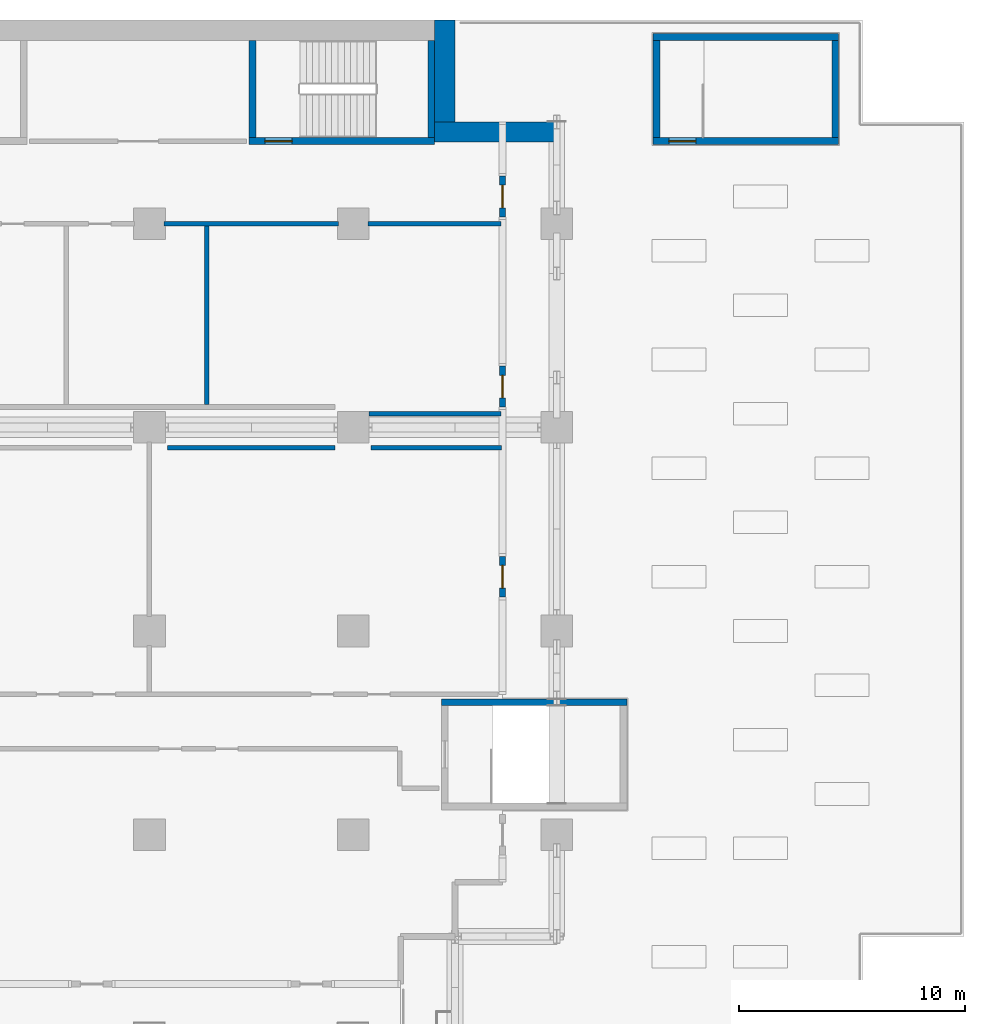
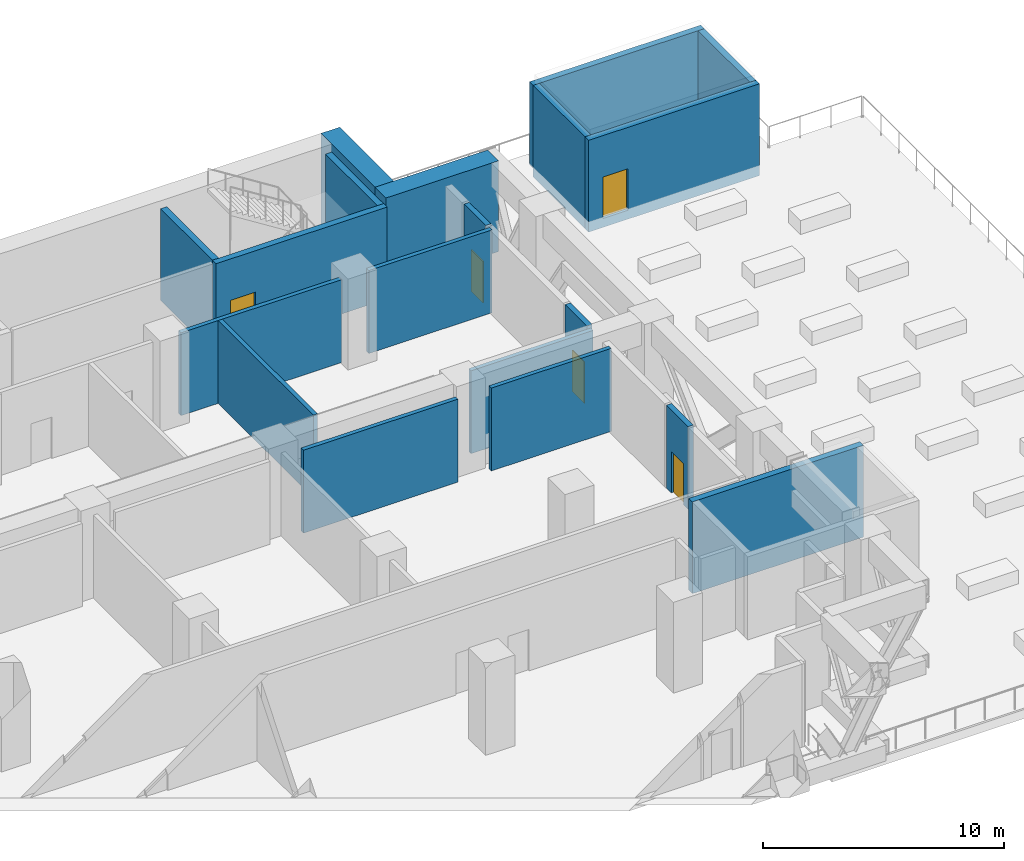
# One storey, part 14 of 24: 19 walls, 5 doors, 5 openings.
"""IFC4 building model written with IfcOpenShell, lengths in metres."""

from ifc_helpers import new_model, si_unit, direction, frame, frame_2d, origin, place, context, subcontext, project, spatial, rectangle, extrude, material, layer, layer_set, type_object, element, fill, save


model = new_model("IFC4")

# Units and contexts
model_context = context("Model", 3, precision=1e-05, world=origin(), true_north=direction((0.0, 1.0)))
body_context = subcontext(model_context, "Body", "Model", "MODEL_VIEW")
ifc_project = project(units=[si_unit("LENGTHUNIT", "METRE"), si_unit("AREAUNIT", "SQUARE_METRE"), si_unit("VOLUMEUNIT", "CUBIC_METRE"), si_unit("PLANEANGLEUNIT", "RADIAN"), si_unit("MASSUNIT", "GRAM", prefix="KILO")], contexts=[model_context])

# Site, building, storey
site_placement = place(None, origin())
site = spatial("IfcSite", under=ifc_project, at=site_placement, CompositionType="ELEMENT")
building_placement = place(site_placement, origin())
building = spatial("IfcBuilding", under=site, at=building_placement, Name="Hunhe Ridgeline Campus", CompositionType="ELEMENT")
storey_placement = place(building_placement, frame((0.0, 0.0, 80.199951171875)))
storey = spatial("IfcBuildingStorey", under=building, at=storey_placement, Name="L19", CompositionType="ELEMENT", Elevation=80.199951171875)

# Walls
ifc_material_1 = material(Name="Gypsum board partition")
ifc_layer_1 = layer(ifc_material_1, 0.199951171875)
ifc_layer_set_1 = layer_set([ifc_layer_1], Name="Corridor partition 200 gypsum board on steel studs")
wall_type_1 = type_object("IfcWallType", Name="Corridor partition 200 gypsum board on steel studs", PredefinedType="PARTITIONING", material=ifc_layer_set_1)
wall_1_placement = place(storey_placement, frame((63.800048828125, 80.10009765625, 0.0), z_axis=(0.0, 0.0, 1.0), x_axis=(1.0, 0.0, 0.0)))
element("IfcWall", 1, at=wall_1_placement, inside=storey, type_object=wall_type_1, Name="F-L19-wall-033", PredefinedType="PARTITIONING", context=body_context, shape_type="SweptSolid", body=[
    extrude(rectangle(XDim=7.39990234375, YDim=0.199951171875, at=frame_2d((3.699951171875, 0.0))), origin(), (0.0, 0.0, 1.0), 4.199951171875),
])
wall_2_placement = place(storey_placement, frame((72.800048828125, 80.10009765625, 0.0), z_axis=(0.0, 0.0, 1.0), x_axis=(1.0, 0.0, 0.0)))
element("IfcWall", 2, at=wall_2_placement, inside=storey, type_object=wall_type_1, Name="F-L19-wall-034", PredefinedType="PARTITIONING", context=body_context, shape_type="SweptSolid", body=[
    extrude(rectangle(XDim=5.744873046875, YDim=0.199951171875, at=frame_2d((2.87255859375, 0.0))), origin(), (0.0, 0.0, 1.0), 4.199951171875),
])
wall_3_placement = place(storey_placement, frame((72.699951171875, 81.60009765625, 0.0), z_axis=(0.0, 0.0, 1.0), x_axis=(1.0, 0.0, 0.0)))
element("IfcWall", 3, at=wall_3_placement, inside=storey, type_object=wall_type_1, Name="F-L19-wall-035", PredefinedType="PARTITIONING", context=body_context, shape_type="SweptSolid", body=[
    extrude(rectangle(XDim=5.844970703125, YDim=0.199951171875, at=frame_2d((2.92236328125, 0.0))), origin(), (0.0, 0.0, 1.0), 4.199951171875),
])
wall_4_placement = place(storey_placement, frame((78.544921875, 90.0, 0.0), z_axis=(0.0, 0.0, 1.0), x_axis=(-1.0, 0.0, 0.0)))
element("IfcWall", 4, at=wall_4_placement, inside=storey, type_object=wall_type_1, Name="F-L19-wall-037", PredefinedType="PARTITIONING", context=body_context, shape_type="SweptSolid", body=[
    extrude(rectangle(XDim=5.89501953125, YDim=0.199951171875, at=frame_2d((2.947509765625, 0.0))), origin(), (0.0, 0.0, 1.0), 4.199951171875),
])
wall_5_placement = place(storey_placement, frame((71.35009765625, 90.0, 0.0), z_axis=(0.0, 0.0, 1.0), x_axis=(-1.0, 0.0, 0.0)))
element("IfcWall", 5, at=wall_5_placement, inside=storey, type_object=wall_type_1, Name="F-L19-wall-041", PredefinedType="PARTITIONING", context=body_context, shape_type="SweptSolid", body=[
    extrude(rectangle(XDim=7.7001953125, YDim=0.199951171875, at=frame_2d((3.85009765625, 0.0))), origin(), (0.0, 0.0, 1.0), 4.199951171875),
])
wall_6_placement = place(storey_placement, frame((65.52392578125, 89.89990234375, 0.0), z_axis=(0.0, 0.0, 1.0), x_axis=(0.0, -1.0, 0.0)))
element("IfcWall", 6, at=wall_6_placement, inside=storey, type_object=wall_type_1, Name="F-L19-wall-071", PredefinedType="PARTITIONING", context=body_context, shape_type="SweptSolid", body=[
    extrude(rectangle(XDim=7.89990234375, YDim=0.199951171875, at=frame_2d((3.949951171875, 0.0))), origin(), (0.0, 0.0, 1.0), 4.199951171875),
])

# Wall, opening, door
ifc_material_2 = material(Name="Concrete C30", Category="concrete")
ifc_layer_2 = layer(ifc_material_2, 0.25)
ifc_layer_set_2 = layer_set([ifc_layer_2], Name="Loggia door pier wall 250 Concrete C30")
wall_type_2 = type_object("IfcWallType", Name="Loggia door pier wall 250 Concrete C30", PredefinedType="SOLIDWALL", material=ifc_layer_set_2)
wall_7_placement = place(storey_placement, frame((78.59912109375, 73.500732421875, 0.0), z_axis=(0.0, 0.0, 1.0), x_axis=(0.0, 1.0, 0.0)))
wall_7 = element("IfcWall", 7, at=wall_7_placement, inside=storey, type_object=wall_type_2, Name="Loggia door pier 16", PredefinedType="SOLIDWALL", context=body_context, shape_type="SweptSolid", body=[
    extrude(rectangle(XDim=1.7998046875, YDim=0.25, at=frame_2d((0.89990234375, 0.0))), origin(), (0.0, 0.0, 1.0), 4.199951171875),
])
opening_1_placement = place(wall_7_placement, frame((0.39990234375, 0.0, 0.0)))
opening_1 = element("IfcOpeningElement", 8, at=opening_1_placement, cuts=wall_7, Name="Opening BR216", PredefinedType="OPENING", context=body_context, shape_type="SweptSolid", body=[
    extrude(rectangle(XDim=1.0, YDim=2.10009765625, at=frame_2d((0.5, 1.050048828125))), frame((0.0, 0.125, 0.0), z_axis=(0.0, -1.0, 0.0), x_axis=(1.0, 0.0, 0.0)), (0.0, 0.0, 1.0), 0.25),
])
ifc_material_3 = material(Name="Aluminium 6063", Category="aluminium")
door_type_1 = type_object("IfcDoorType", Name="Loggia glazed door 1000x2100", OperationType="NOTDEFINED", PredefinedType="DOOR", material=ifc_material_3)
door_1_placement = place(opening_1_placement, frame((1.0, 0.0, 0.0), z_axis=(0.0, 0.0, 1.0), x_axis=(-1.0, 0.0, 0.0)))
door_1 = element("IfcDoor", 9, at=door_1_placement, inside=storey, type_object=door_type_1, Name="Loggia door BR216", OperationType="SINGLE_SWING_LEFT", OverallHeight=2.10009765625, OverallWidth=1.0, PredefinedType="DOOR", context=body_context, shape_type="SweptSolid", body=[
    extrude(rectangle(XDim=1.0, YDim=2.10009765625, at=frame_2d((0.5, 1.050048828125))), frame((0.0, 0.02490234375, 0.0), z_axis=(0.0, -1.0, 0.0), x_axis=(1.0, 0.0, 0.0)), (0.0, 0.0, 1.0), 0.050048828125),
])
fill(opening_1, door_1)

wall_8_placement = place(storey_placement, frame((78.59912109375, 81.900390625, 0.0), z_axis=(0.0, 0.0, 1.0), x_axis=(0.0, 1.0, 0.0)))
wall_8 = element("IfcWall", 10, at=wall_8_placement, inside=storey, type_object=wall_type_2, Name="Loggia door pier 17", PredefinedType="SOLIDWALL", context=body_context, shape_type="SweptSolid", body=[
    extrude(rectangle(XDim=1.800048828125, YDim=0.25, at=frame_2d((0.89990234375, 0.0))), origin(), (0.0, 0.0, 1.0), 4.199951171875),
])
opening_2_placement = place(wall_8_placement, frame((0.39990234375, 0.0, 0.0)))
opening_2 = element("IfcOpeningElement", 11, at=opening_2_placement, cuts=wall_8, Name="Opening BR217", PredefinedType="OPENING", context=body_context, shape_type="SweptSolid", body=[
    extrude(rectangle(XDim=1.0, YDim=2.10009765625, at=frame_2d((0.5, 1.050048828125))), frame((0.0, 0.125, 0.0), z_axis=(0.0, -1.0, 0.0), x_axis=(1.0, 0.0, 0.0)), (0.0, 0.0, 1.0), 0.25),
])
door_2_placement = place(opening_2_placement, frame((1.0, 0.0, 0.0), z_axis=(0.0, 0.0, 1.0), x_axis=(-1.0, 0.0, 0.0)))
door_2 = element("IfcDoor", 12, at=door_2_placement, inside=storey, type_object=door_type_1, Name="Loggia door BR217", OperationType="SINGLE_SWING_RIGHT", OverallHeight=2.10009765625, OverallWidth=1.0, PredefinedType="DOOR", context=body_context, shape_type="SweptSolid", body=[
    extrude(rectangle(XDim=1.0, YDim=2.10009765625, at=frame_2d((0.5, 1.050048828125))), frame((0.0, 0.02490234375, 0.0), z_axis=(0.0, -1.0, 0.0), x_axis=(1.0, 0.0, 0.0)), (0.0, 0.0, 1.0), 0.050048828125),
])
fill(opening_2, door_2)

wall_9_placement = place(storey_placement, frame((78.59912109375, 90.300048828125, 0.0), z_axis=(0.0, 0.0, 1.0), x_axis=(0.0, 1.0, 0.0)))
wall_9 = element("IfcWall", 13, at=wall_9_placement, inside=storey, type_object=wall_type_2, Name="Loggia door pier 18", PredefinedType="SOLIDWALL", context=body_context, shape_type="SweptSolid", body=[
    extrude(rectangle(XDim=1.800048828125, YDim=0.25, at=frame_2d((0.89990234375, 0.0))), origin(), (0.0, 0.0, 1.0), 4.199951171875),
])
opening_3_placement = place(wall_9_placement, frame((0.39990234375, 0.0, 0.0)))
opening_3 = element("IfcOpeningElement", 14, at=opening_3_placement, cuts=wall_9, Name="Opening BR218", PredefinedType="OPENING", context=body_context, shape_type="SweptSolid", body=[
    extrude(rectangle(XDim=1.0, YDim=2.10009765625, at=frame_2d((0.5, 1.050048828125))), frame((0.0, 0.125, 0.0), z_axis=(0.0, -1.0, 0.0), x_axis=(1.0, 0.0, 0.0)), (0.0, 0.0, 1.0), 0.25),
])
door_3_placement = place(opening_3_placement, frame((1.0, 0.0, 0.0), z_axis=(0.0, 0.0, 1.0), x_axis=(-1.0, 0.0, 0.0)))
door_3 = element("IfcDoor", 15, at=door_3_placement, inside=storey, type_object=door_type_1, Name="Loggia door BR218", OperationType="SINGLE_SWING_LEFT", OverallHeight=2.10009765625, OverallWidth=1.0, PredefinedType="DOOR", context=body_context, shape_type="SweptSolid", body=[
    extrude(rectangle(XDim=1.0, YDim=2.10009765625, at=frame_2d((0.5, 1.050048828125))), frame((0.0, 0.02490234375, 0.0), z_axis=(0.0, -1.0, 0.0), x_axis=(1.0, 0.0, 0.0)), (0.0, 0.0, 1.0), 0.050048828125),
])
fill(opening_3, door_3)

# Walls
ifc_material_4 = material(Name="Concrete C70", Category="concrete")
ifc_layer_3 = layer(ifc_material_4, 0.89990234375)
ifc_layer_set_3 = layer_set([ifc_layer_3], Name="Spine wall 900 Concrete C70")
wall_type_3 = type_object("IfcWallType", Name="Spine wall 900 Concrete C70", PredefinedType="SHEAR", material=ifc_layer_set_3)
wall_10_placement = place(storey_placement, frame((81.0, 94.050048828125, 0.0), z_axis=(0.0, 0.0, 1.0), x_axis=(-1.0, 0.0, 0.0)))
element("IfcWall", 16, at=wall_10_placement, inside=storey, type_object=wall_type_3, Name="Spine wall SW2-2 L19", PredefinedType="SHEAR", context=body_context, shape_type="SweptSolid", body=[
    extrude(rectangle(XDim=5.400390625, YDim=0.89990234375, at=frame_2d((2.7001953125, 0.0))), origin(), (0.0, 0.0, 1.0), 4.60009765625),
])
wall_11_placement = place(storey_placement, frame((76.050048828125, 93.60009765625, 0.0), z_axis=(0.0, 0.0, 1.0), x_axis=(0.0, 1.0, 0.0)))
element("IfcWall", 17, at=wall_11_placement, inside=storey, type_object=wall_type_3, Name="Spine wall SW2-3 L19", PredefinedType="SHEAR", context=body_context, shape_type="SweptSolid", body=[
    extrude(rectangle(XDim=5.39990234375, YDim=0.89990234375, at=frame_2d((2.699951171875, 0.0))), origin(), (0.0, 0.0, 1.0), 4.60009765625),
])
ifc_material_5 = material(Name="Concrete C80", Category="concrete")
ifc_layer_4 = layer(ifc_material_5, 0.300048828125)
ifc_layer_set_4 = layer_set([ifc_layer_4], Name="Stair wall 300 reinforced concrete C80")
wall_type_4 = type_object("IfcWallType", Name="Stair wall 300 reinforced concrete C80", PredefinedType="SOLIDWALL", material=ifc_layer_set_4)
wall_12_placement = place(storey_placement, frame((75.89990234375, 68.85009765625, -0.449951171875), z_axis=(0.0, 0.0, 1.0), x_axis=(1.0, 0.0, 0.0)))
element("IfcWall", 18, at=wall_12_placement, inside=storey, type_object=wall_type_4, Name="L19 core wall 10", PredefinedType="SOLIDWALL", context=body_context, shape_type="SweptSolid", body=[
    extrude(rectangle(XDim=8.2001953125, YDim=0.300048828125, at=frame_2d((4.10009765625, 0.0))), origin(), (0.0, 0.0, 1.0), 4.64990234375),
])

# Wall, opening, door
wall_13_placement = place(storey_placement, frame((67.39990234375, 93.64990234375, -0.449951171875), z_axis=(0.0, 0.0, 1.0), x_axis=(1.0, 0.0, 0.0)))
wall_13 = element("IfcWall", 19, at=wall_13_placement, inside=storey, type_object=wall_type_4, Name="L19 core wall 34", PredefinedType="SOLIDWALL", context=body_context, shape_type="SweptSolid", body=[
    extrude(rectangle(XDim=8.2001953125, YDim=0.300048828125, at=frame_2d((4.10009765625, 0.0))), origin(), (0.0, 0.0, 1.0), 4.64990234375),
])
opening_4_placement = place(wall_13_placement, frame((0.699951171875, 0.0, 0.449951171875)))
opening_4 = element("IfcOpeningElement", 20, at=opening_4_placement, cuts=wall_13, Name="Opening CD19", PredefinedType="OPENING", context=body_context, shape_type="SweptSolid", body=[
    extrude(rectangle(XDim=1.199951171875, YDim=2.10009765625, at=frame_2d((0.60009765625, 1.050048828125))), frame((0.0, 0.14990234375, 0.0), z_axis=(0.0, -1.0, 0.0), x_axis=(1.0, 0.0, 0.0)), (0.0, 0.0, 1.0), 0.300048828125),
])
ifc_material_6 = material(Name="Hollow metal fire door leaf")
door_type_2 = type_object("IfcDoorType", Name="Stair door 1200x2100 FD60", OperationType="SINGLE_SWING_LEFT", PredefinedType="DOOR", material=ifc_material_6)
door_4_placement = place(opening_4_placement, frame((1.199951171875, 0.0, 0.0), z_axis=(0.0, 0.0, 1.0), x_axis=(-1.0, 0.0, 0.0)))
door_4 = element("IfcDoor", 21, at=door_4_placement, inside=storey, type_object=door_type_2, Name="L19 door E3", OperationType="SINGLE_SWING_RIGHT", OverallHeight=2.10009765625, OverallWidth=1.199951171875, PredefinedType="DOOR", context=body_context, shape_type="SweptSolid", body=[
    extrude(rectangle(XDim=1.199951171875, YDim=2.10009765625, at=frame_2d((0.60009765625, 1.050048828125))), frame((0.0, 0.02490234375, 0.0), z_axis=(0.0, -1.0, 0.0), x_axis=(1.0, 0.0, 0.0)), (0.0, 0.0, 1.0), 0.050048828125),
])
fill(opening_4, door_4)

wall_14_placement = place(storey_placement, frame((85.25, 93.64990234375, -0.449951171875), z_axis=(0.0, 0.0, 1.0), x_axis=(1.0, 0.0, 0.0)))
wall_14 = element("IfcWall", 22, at=wall_14_placement, inside=storey, type_object=wall_type_4, Name="L19 core wall 35", PredefinedType="SOLIDWALL", context=body_context, shape_type="SweptSolid", body=[
    extrude(rectangle(XDim=8.199951171875, YDim=0.300048828125, at=frame_2d((4.10009765625, 0.0))), origin(), (0.0, 0.0, 1.0), 4.64990234375),
])
opening_5_placement = place(wall_14_placement, frame((0.699951171875, 0.0, 0.449951171875)))
opening_5 = element("IfcOpeningElement", 23, at=opening_5_placement, cuts=wall_14, Name="Opening CD20", PredefinedType="OPENING", context=body_context, shape_type="SweptSolid", body=[
    extrude(rectangle(XDim=1.199951171875, YDim=2.10009765625, at=frame_2d((0.60009765625, 1.050048828125))), frame((0.0, 0.14990234375, 0.0), z_axis=(0.0, -1.0, 0.0), x_axis=(1.0, 0.0, 0.0)), (0.0, 0.0, 1.0), 0.300048828125),
])
door_5_placement = place(opening_5_placement, frame((1.199951171875, 0.0, 0.0), z_axis=(0.0, 0.0, 1.0), x_axis=(-1.0, 0.0, 0.0)))
door_5 = element("IfcDoor", 24, at=door_5_placement, inside=storey, type_object=door_type_2, Name="L19 door E4", OperationType="SINGLE_SWING_LEFT", OverallHeight=2.10009765625, OverallWidth=1.199951171875, PredefinedType="DOOR", context=body_context, shape_type="SweptSolid", body=[
    extrude(rectangle(XDim=1.199951171875, YDim=2.10009765625, at=frame_2d((0.60009765625, 1.050048828125))), frame((0.0, 0.02490234375, 0.0), z_axis=(0.0, -1.0, 0.0), x_axis=(1.0, 0.0, 0.0)), (0.0, 0.0, 1.0), 0.050048828125),
])
fill(opening_5, door_5)

# Walls
wall_15_placement = place(storey_placement, frame((85.25, 98.25, 0.0), z_axis=(0.0, 0.0, 1.0), x_axis=(1.0, 0.0, 0.0)))
element("IfcWall", 25, at=wall_15_placement, inside=storey, type_object=wall_type_4, Name="L19 core wall 37", PredefinedType="SOLIDWALL", context=body_context, shape_type="SweptSolid", body=[
    extrude(rectangle(XDim=8.199951171875, YDim=0.300048828125, at=frame_2d((4.10009765625, 0.0))), origin(), (0.0, 0.0, 1.0), 4.199951171875),
])
for number, where, z_axis, x_axis, name in (
    (26, (67.550048828125, 93.800048828125, -0.449951171875), (0.0, 0.0, 1.0), (0.0, 1.0, 0.0), "L19 core wall 70"),
    (27, (75.449951171875, 93.800048828125, -0.449951171875), (0.0, 0.0, 1.0), (0.0, 1.0, 0.0), "L19 core wall 71"),
    (28, (85.39990234375, 93.800048828125, -0.449951171875), (0.0, 0.0, 1.0), (0.0, 1.0, 0.0), "L19 core wall 74"),
    (29, (93.300048828125, 93.800048828125, -0.449951171875), (0.0, 0.0, 1.0), (0.0, 1.0, 0.0), "L19 core wall 75"),
):
    element("IfcWall", number, at=place(storey_placement, frame(where, z_axis=z_axis, x_axis=x_axis)), inside=storey, type_object=wall_type_4, Name=name, PredefinedType="SOLIDWALL", context=body_context, shape_type="SweptSolid", body=[
        extrude(rectangle(XDim=4.300048828125, YDim=0.300048828125, at=frame_2d((2.14990234375, 0.0))), origin(), (0.0, 0.0, 1.0), 4.64990234375),
    ])

save(model, "model.ifc")
